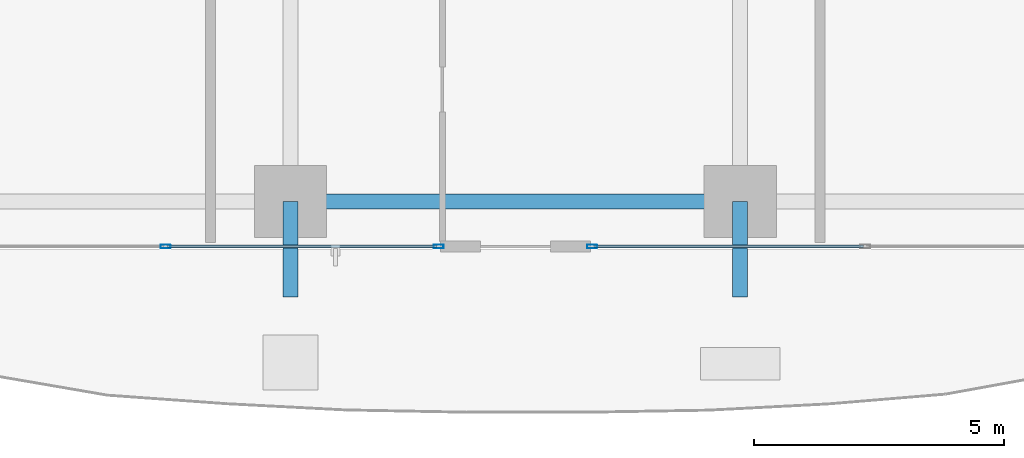
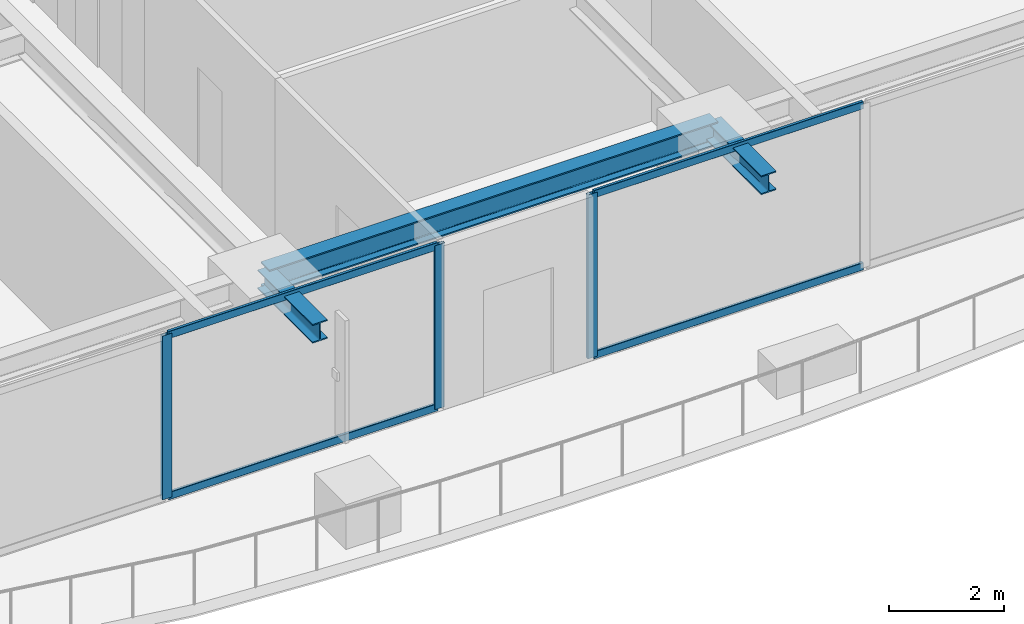
# One storey, part 5 of 39: 7 members, 3 beams, 2 elements without a shape of their own.
"""IFC4 building model written with IfcOpenShell, lengths in metres."""

from ifc_helpers import new_model, si_unit, direction, frame, origin, origin_2d, place, context, subcontext, project, spatial, hollow_rectangle, i_section, extrude, source, transform, mapped, material, layer, layer_set, material_profile, profile_set, type_object, element, aggregate, save


model = new_model("IFC4")

# Units and contexts
model_context = context("Model", 3, precision=1e-05, world=origin(), true_north=direction((0.0, 1.0)))
body_context = subcontext(model_context, "Body", "Model", "MODEL_VIEW")
ifc_project = project(units=[si_unit("LENGTHUNIT", "METRE"), si_unit("AREAUNIT", "SQUARE_METRE"), si_unit("VOLUMEUNIT", "CUBIC_METRE"), si_unit("PLANEANGLEUNIT", "RADIAN"), si_unit("MASSUNIT", "GRAM", prefix="KILO")], contexts=[model_context])

# Site, building, storey
site_placement = place(None, origin())
site = spatial("IfcSite", under=ifc_project, at=site_placement, CompositionType="ELEMENT")
building_placement = place(site_placement, origin())
building = spatial("IfcBuilding", under=site, at=building_placement, Name="Serunith Strait Residences", CompositionType="ELEMENT")
storey_placement = place(building_placement, frame((0.0, 0.0, 64.199951171875)))
storey = spatial("IfcBuildingStorey", under=building, at=storey_placement, Name="L15", CompositionType="ELEMENT", Elevation=64.199951171875)

# Beams
ifc_material_1 = material(Name="Steel S355J2", Category="steel")
ifc_material_profile_1 = material_profile(ifc_material_1, i_section(OverallWidth=0.300048828125, OverallDepth=0.5, WebThickness=0.014404296875, FlangeThickness=0.028076171875, FilletRadius=0.027099609375, at=origin_2d()), Name="HEB 500")
ifc_profile_set_1 = profile_set([ifc_material_profile_1], Name="Steel S355J2")
beam_type_1 = type_object("IfcBeamType", Name="BM-HEB500", PredefinedType="BEAM", material=ifc_profile_set_1)
shared_shape_1 = source(origin(), body_context, "Body", "SweptSolid", [
    extrude(i_section(OverallWidth=0.300048828125, OverallDepth=0.5, WebThickness=0.014404296875, FlangeThickness=0.028076171875, FilletRadius=0.027099609375, at=origin_2d()), origin(), (0.0, 0.0, 1.0), 9.0),
])
beam_placement = place(storey_placement, frame((27.89990234375, 1.10009765625, 3.237060546875), z_axis=(1.0, 0.0, 0.0), x_axis=(0.0, 1.0, 0.0)))
element("IfcBeam", 1, at=beam_placement, inside=storey, type_object=beam_type_1, Name="L15 Perimeter Ring Beam 02", PredefinedType="BEAM", context=body_context, shape_type="MappedRepresentation", body=[
    mapped(shared_shape_1, transform((0.0, 0.0, 0.0), scale=1.0)),
])
ifc_material_profile_2 = material_profile(ifc_material_1, i_section(OverallWidth=0.300048828125, OverallDepth=0.39990234375, WebThickness=0.013427734375, FlangeThickness=0.02392578125, FilletRadius=0.027099609375, at=origin_2d()), Name="HEB 400")
ifc_profile_set_2 = profile_set([ifc_material_profile_2], Name="Steel S355J2")
beam_type_2 = type_object("IfcBeamType", Name="BM-HEB400", PredefinedType="BEAM", material=ifc_profile_set_2)
shared_shape_2 = source(origin(), body_context, "Body", "SweptSolid", [
    extrude(i_section(OverallWidth=0.300048828125, OverallDepth=0.39990234375, WebThickness=0.013427734375, FlangeThickness=0.02392578125, FilletRadius=0.027099609375, at=origin_2d()), origin(), (0.0, 0.0, 1.0), 1.91015625),
])
for number, where, z_axis, x_axis, name in (
    (2, (27.89990234375, 1.10009765625, 3.257080078125), (0.0, -1.0, 0.0), (1.0, 0.0, 0.0), "L16 Cantilevered Balcony Rib TC-S2"),
    (3, (36.89990234375, 1.10009765625, 3.257080078125), (0.0, -1.0, 0.0), (1.0, 0.0, 0.0), "L16 Cantilevered Balcony Rib TC-S3"),
):
    element("IfcBeam", number, at=place(storey_placement, frame(where, z_axis=z_axis, x_axis=x_axis)), inside=storey, type_object=beam_type_2, Name=name, PredefinedType="BEAM", context=body_context, shape_type="MappedRepresentation", body=[
        mapped(shared_shape_2, transform((0.0, 0.0, 0.0), scale=1.0)),
    ])

# Curtain wall, members
ifc_material_2 = material(Name="Pale-Champagne Anodised Aluminium", Category="aluminium")
ifc_layer = layer(ifc_material_2, 0.199951171875, Name="Pale-Champagne Anodised Aluminium")
ifc_layer_set = layer_set([ifc_layer], Name="Pale-Champagne Anodised Aluminium")
curtain_wall_type = type_object("IfcCurtainWallType", Name="CW-SYS1", PredefinedType="NOTDEFINED", material=ifc_layer_set)
curtain_wall_1_placement = place(storey_placement, origin())
curtain_wall_1 = element("IfcCurtainWall", 4, at=curtain_wall_1_placement, inside=storey, type_object=curtain_wall_type, Name="L15 S Unitised Fritted Curtain Wall", PredefinedType="NOTDEFINED")
ifc_material_profile_3 = material_profile(ifc_material_2, hollow_rectangle(XDim=0.070068359375, YDim=0.199951171875, WallThickness=0.00390625, InnerFilletRadius=0.006103515625, OuterFilletRadius=0.010009765625, at=origin_2d()), Name="ALU 200x70x4")
ifc_profile_set_3 = profile_set([ifc_material_profile_3], Name="Pale-Champagne Anodised Aluminium")
member_type_1 = type_object("IfcMemberType", Name="CW-SYS1-MULL", PredefinedType="MULLION", material=ifc_profile_set_3)
shared_shape_3 = source(origin(), body_context, "Body", "SweptSolid", [
    extrude(hollow_rectangle(XDim=0.070068359375, YDim=0.199951171875, WallThickness=0.00390625, InnerFilletRadius=0.006103515625, OuterFilletRadius=0.010009765625, at=origin_2d()), origin(), (0.0, 0.0, 1.0), 3.47509765625),
])
member_1_placement = place(storey_placement, frame((25.39990234375, 0.199951171875, 0.0), z_axis=(0.0, 0.0, 1.0), x_axis=(0.0, 1.0, 0.0)))
member_1 = element("IfcMember", 5, at=member_1_placement, type_object=member_type_1, Name="CW-1 mullion 3", PredefinedType="MULLION", context=body_context, shape_type="MappedRepresentation", body=[
    mapped(shared_shape_3, transform((0.0, 0.0, 0.0), scale=1.0)),
])
member_2_placement = place(storey_placement, frame((30.864990234375, 0.199951171875, 0.0), z_axis=(0.0, 0.0, 1.0), x_axis=(0.0, 1.0, 0.0)))
member_2 = element("IfcMember", 6, at=member_2_placement, type_object=member_type_1, Name="CW-1 mullion 4", PredefinedType="MULLION", context=body_context, shape_type="MappedRepresentation", body=[
    mapped(shared_shape_3, transform((0.0, 0.0, 0.0), scale=1.0)),
])

# Curtain wall, member
curtain_wall_2_placement = place(storey_placement, origin())
curtain_wall_2 = element("IfcCurtainWall", 7, at=curtain_wall_2_placement, inside=storey, type_object=curtain_wall_type, Name="L15 S Unitised Fritted Curtain Wall", PredefinedType="NOTDEFINED")
member_3_placement = place(storey_placement, frame((33.93505859375, 0.199951171875, 0.0), z_axis=(0.0, 0.0, 1.0), x_axis=(0.0, 1.0, 0.0)))
member_3 = element("IfcMember", 8, at=member_3_placement, type_object=member_type_1, Name="CW-1 mullion 1", PredefinedType="MULLION", context=body_context, shape_type="MappedRepresentation", body=[
    mapped(shared_shape_3, transform((0.0, 0.0, 0.0), scale=1.0)),
])

# Member
ifc_material_profile_4 = material_profile(ifc_material_2, hollow_rectangle(XDim=0.06005859375, YDim=0.159912109375, WallThickness=0.00341796875, InnerFilletRadius=0.00537109375, OuterFilletRadius=0.0087890625, at=origin_2d()), Name="ALU 160x60x3.5")
ifc_profile_set_4 = profile_set([ifc_material_profile_4], Name="Pale-Champagne Anodised Aluminium")
member_type_2 = type_object("IfcMemberType", Name="CW-SYS1-TRAN", PredefinedType="USERDEFINED", material=ifc_profile_set_4)
shared_shape_4 = source(origin(), body_context, "Body", "SweptSolid", [
    extrude(hollow_rectangle(XDim=0.06005859375, YDim=0.159912109375, WallThickness=0.00341796875, InnerFilletRadius=0.00537109375, OuterFilletRadius=0.0087890625, at=origin_2d()), origin(), (0.0, 0.0, 1.0), 5.39501953125),
])
member_4_placement = place(storey_placement, frame((25.43505859375, 0.199951171875, 0.030029296875), z_axis=(1.0, 0.0, 0.0), x_axis=(0.0, 1.0, 0.0)))
member_4 = element("IfcMember", 9, at=member_4_placement, type_object=member_type_2, Name="CW-1 transom 3.1", ObjectType="TRANSOM", PredefinedType="USERDEFINED", context=body_context, shape_type="MappedRepresentation", body=[
    mapped(shared_shape_4, transform((0.0, 0.0, 0.0), scale=1.0)),
])

member_5_placement = place(storey_placement, frame((25.43505859375, 0.199951171875, 3.445068359375), z_axis=(1.0, 0.0, 0.0), x_axis=(0.0, 1.0, 0.0)))
member_5 = element("IfcMember", 10, at=member_5_placement, type_object=member_type_2, Name="CW-1 transom 3.2", ObjectType="TRANSOM", PredefinedType="USERDEFINED", context=body_context, shape_type="MappedRepresentation", body=[
    mapped(shared_shape_4, transform((0.0, 0.0, 0.0), scale=1.0)),
])

aggregate(curtain_wall_1, [member_1, member_2, member_4, member_5])

member_6_placement = place(storey_placement, frame((33.969970703125, 0.199951171875, 0.030029296875), z_axis=(1.0, 0.0, 0.0), x_axis=(0.0, 1.0, 0.0)))
member_6 = element("IfcMember", 11, at=member_6_placement, type_object=member_type_2, Name="CW-1 transom 1.1", ObjectType="TRANSOM", PredefinedType="USERDEFINED", context=body_context, shape_type="MappedRepresentation", body=[
    mapped(shared_shape_4, transform((0.0, 0.0, 0.0), scale=1.0)),
])

member_7_placement = place(storey_placement, frame((33.969970703125, 0.199951171875, 3.445068359375), z_axis=(1.0, 0.0, 0.0), x_axis=(0.0, 1.0, 0.0)))
member_7 = element("IfcMember", 12, at=member_7_placement, type_object=member_type_2, Name="CW-1 transom 1.2", ObjectType="TRANSOM", PredefinedType="USERDEFINED", context=body_context, shape_type="MappedRepresentation", body=[
    mapped(shared_shape_4, transform((0.0, 0.0, 0.0), scale=1.0)),
])

aggregate(curtain_wall_2, [member_3, member_6, member_7])

save(model, "model.ifc")
